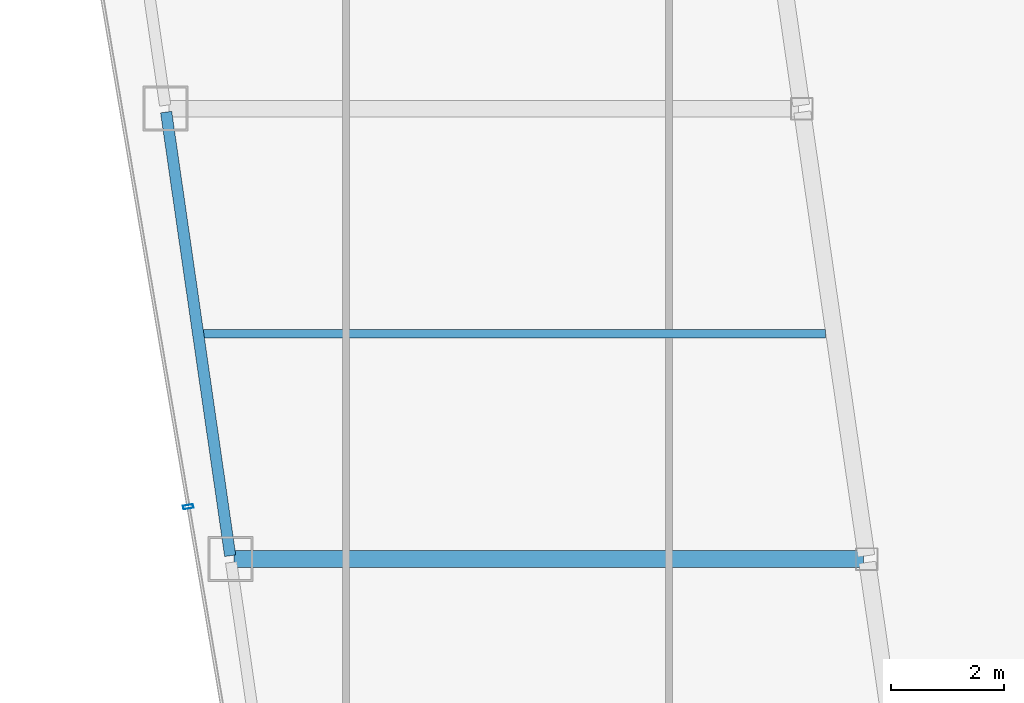
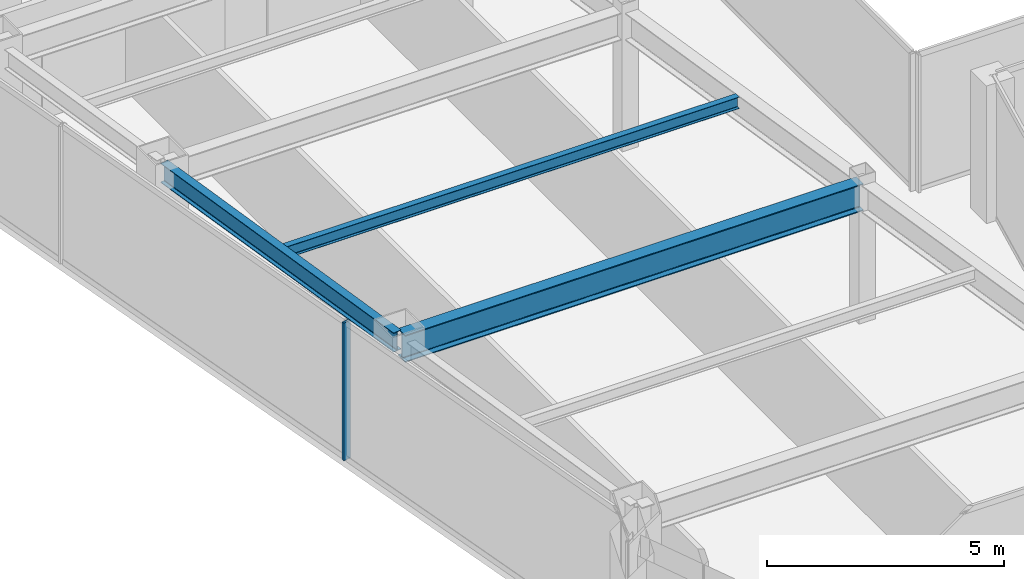
# One storey, part 5 of 36: 3 beams, 1 member, 1 element without a shape of its own.
"""IFC4 building model written with IfcOpenShell, lengths in metres."""

from ifc_helpers import new_model, si_unit, direction, frame, origin, origin_2d, place, context, subcontext, project, spatial, hollow_rectangle, i_section, extrude, material, material_profile, profile_set, type_object, element, aggregate, save


model = new_model("IFC4")

# Units and contexts
model_context = context("Model", 3, precision=1e-05, world=origin(), true_north=direction((0.0, 1.0)))
body_context = subcontext(model_context, "Body", "Model", "MODEL_VIEW")
ifc_project = project(units=[si_unit("LENGTHUNIT", "METRE"), si_unit("AREAUNIT", "SQUARE_METRE"), si_unit("VOLUMEUNIT", "CUBIC_METRE"), si_unit("PLANEANGLEUNIT", "RADIAN"), si_unit("MASSUNIT", "GRAM", prefix="KILO")], contexts=[model_context])

# Site, building, storey
site_placement = place(None, origin())
site = spatial("IfcSite", under=ifc_project, at=site_placement, CompositionType="ELEMENT")
building_placement = place(site_placement, origin())
building = spatial("IfcBuilding", under=site, at=building_placement, Name="Saevonmaru Cultural Tower", CompositionType="ELEMENT")
storey_placement = place(building_placement, frame((0.0, 0.0, 201.800048828125)))
storey = spatial("IfcBuildingStorey", under=building, at=storey_placement, Name="L46", CompositionType="ELEMENT", Elevation=201.800048828125)

# Beams
ifc_material_1 = material(Name="Steel SM355", Category="steel")
ifc_material_profile_1 = material_profile(ifc_material_1, i_section(OverallWidth=0.300048828125, OverallDepth=0.699951171875, WebThickness=0.012939453125, FlangeThickness=0.02392578125, FilletRadius=0.02587890625, at=origin_2d()), Name="H-700x300x13x24")
ifc_profile_set_1 = profile_set([ifc_material_profile_1], Name="Steel SM355")
beam_type_1 = type_object("IfcBeamType", Name="BM-G-H700", PredefinedType="BEAM", material=ifc_profile_set_1)
beam_1_placement = place(storey_placement, frame((9.531982421875, 24.0, 3.199951171875), z_axis=(1.0, 0.0, 0.0), x_axis=(0.0, 1.0, 0.0)))
element("IfcBeam", 1, at=beam_1_placement, inside=storey, type_object=beam_type_1, Name="L46 West Wing Transverse Girder 2", PredefinedType="BEAM", context=body_context, shape_type="SweptSolid", body=[
    extrude(i_section(OverallWidth=0.300048828125, OverallDepth=0.699951171875, WebThickness=0.012939453125, FlangeThickness=0.02392578125, FilletRadius=0.02587890625, at=origin_2d()), origin(), (0.0, 0.0, 1.0), 11.179931640625),
])
ifc_material_profile_2 = material_profile(ifc_material_1, i_section(OverallWidth=0.14990234375, OverallDepth=0.300048828125, WebThickness=0.006591796875, FlangeThickness=0.009033203125, FilletRadius=0.012939453125, at=origin_2d()), Name="H-300x150x6.5x9")
ifc_profile_set_2 = profile_set([ifc_material_profile_2], Name="Steel SM355")
beam_type_2 = type_object("IfcBeamType", Name="BM-J-H300", PredefinedType="JOIST", material=ifc_profile_set_2)
beam_2_placement = place(storey_placement, frame((8.95458984375, 28.0, 3.39990234375), z_axis=(1.0, 0.0, 0.0), x_axis=(0.0, 1.0, 0.0)))
element("IfcBeam", 2, at=beam_2_placement, inside=storey, type_object=beam_type_2, Name="L46 West Wing Floor Joist 2", PredefinedType="JOIST", context=body_context, shape_type="SweptSolid", body=[
    extrude(i_section(OverallWidth=0.14990234375, OverallDepth=0.300048828125, WebThickness=0.006591796875, FlangeThickness=0.009033203125, FilletRadius=0.012939453125, at=origin_2d()), origin(), (0.0, 0.0, 1.0), 11.08203125),
])
ifc_material_profile_3 = material_profile(ifc_material_1, i_section(OverallWidth=0.199951171875, OverallDepth=0.5, WebThickness=0.010009765625, FlangeThickness=0.01611328125, FilletRadius=0.02001953125, at=origin_2d()), Name="H-500x200x10x16")
ifc_profile_set_3 = profile_set([ifc_material_profile_3], Name="Steel SM355")
beam_type_3 = type_object("IfcBeamType", Name="BM-SP-H500", PredefinedType="SPANDREL", material=ifc_profile_set_3)
beam_3_placement = place(storey_placement, frame((9.46337890625, 24.059326171875, 3.300048828125), z_axis=(-0.142871999001, 0.989741174197, 0.0), x_axis=(-0.989741174197, -0.142871999001, 0.0)))
element("IfcBeam", 3, at=beam_3_placement, inside=storey, type_object=beam_type_3, Name="L46 West Splayed Spandrel 2", PredefinedType="SPANDREL", context=body_context, shape_type="SweptSolid", body=[
    extrude(i_section(OverallWidth=0.199951171875, OverallDepth=0.5, WebThickness=0.010009765625, FlangeThickness=0.01611328125, FilletRadius=0.02001953125, at=origin_2d()), origin(), (0.0, 0.0, 1.0), 7.963134765625),
])

# Curtain wall, member
ifc_material_2 = material(Name="Satin Bronze Anodised Aluminium", Category="aluminium")
curtain_wall_type = type_object("IfcCurtainWallType", Name="CW-TYP-B", PredefinedType="NOTDEFINED", material=ifc_material_2)
curtain_wall_placement = place(storey_placement, origin())
curtain_wall = element("IfcCurtainWall", 4, at=curtain_wall_placement, inside=storey, type_object=curtain_wall_type, Name="L46 Unitised Curtain Wall E12", PredefinedType="NOTDEFINED")
ifc_material_profile_4 = material_profile(ifc_material_2, hollow_rectangle(XDim=0.06494140625, YDim=0.179931640625, WallThickness=0.00390625, at=origin_2d()), Name="ALU-MULL-180x65x4")
ifc_profile_set_4 = profile_set([ifc_material_profile_4], Name="Satin Bronze Anodised Aluminium")
member_type = type_object("IfcMemberType", Name="ML-CW-180x65", PredefinedType="MULLION", material=ifc_profile_set_4)
member_placement = place(storey_placement, frame((8.71826171875, 24.9296875, 0.0), z_axis=(0.0, 0.0, 1.0), x_axis=(0.16692169721, -0.985970155228, 0.0)))
member = element("IfcMember", 5, at=member_placement, type_object=member_type, Name="CW-TW-L46-E12 mullion 4", PredefinedType="MULLION", context=body_context, shape_type="SweptSolid", body=[
    extrude(hollow_rectangle(XDim=0.06494140625, YDim=0.179931640625, WallThickness=0.00390625, at=origin_2d()), origin(), (0.0, 0.0, 1.0), 3.550048828125),
])
aggregate(curtain_wall, [member])

save(model, "model.ifc")
